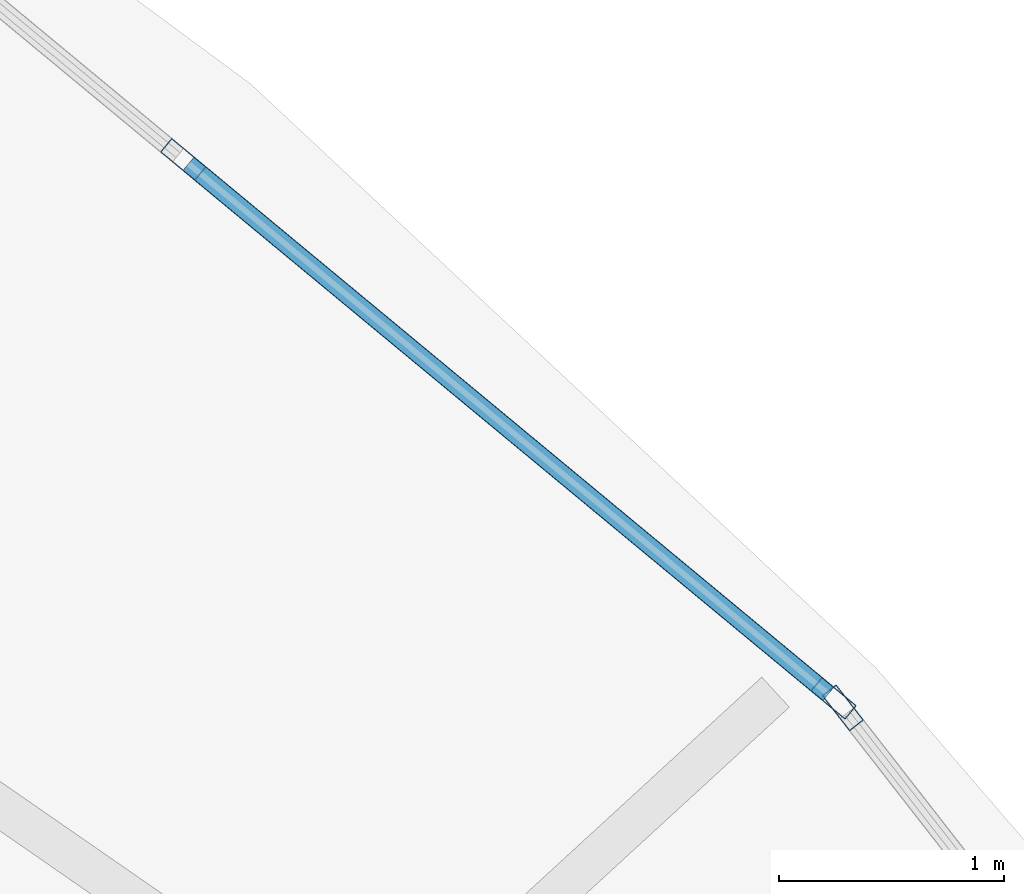
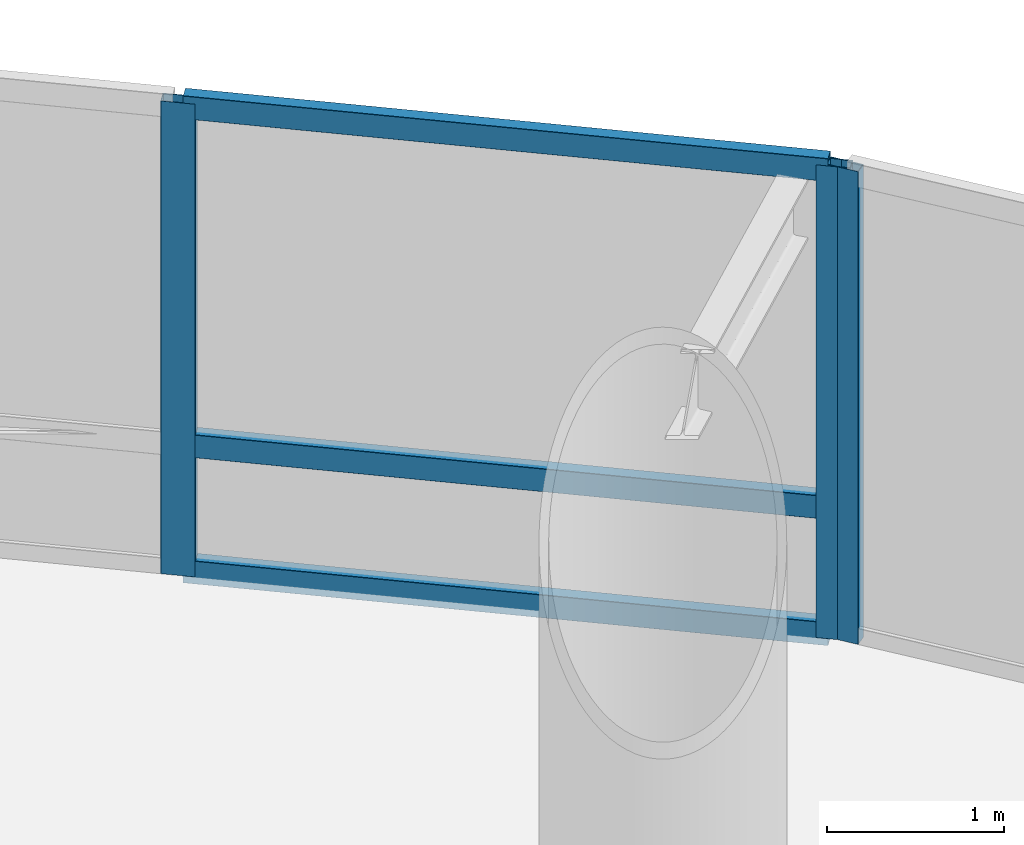
# One storey, part 11 of 20: 6 members, 2 elements without a shape of their own.
"""IFC4 building model written with IfcOpenShell, lengths in metres."""

from ifc_helpers import new_model, si_unit, direction, frame, origin, origin_2d, place, context, subcontext, project, spatial, hollow_rectangle, extrude, material, layer, layer_set, material_profile, profile_set, type_object, element, aggregate, save


model = new_model("IFC4")

# Units and contexts
model_context = context("Model", 3, precision=1e-05, world=origin(), true_north=direction((0.0, 1.0)))
body_context = subcontext(model_context, "Body", "Model", "MODEL_VIEW")
ifc_project = project(units=[si_unit("LENGTHUNIT", "METRE"), si_unit("AREAUNIT", "SQUARE_METRE"), si_unit("VOLUMEUNIT", "CUBIC_METRE"), si_unit("PLANEANGLEUNIT", "RADIAN"), si_unit("MASSUNIT", "GRAM", prefix="KILO")], contexts=[model_context])

# Site, building, storey
site_placement = place(None, origin())
site = spatial("IfcSite", under=ifc_project, at=site_placement, CompositionType="ELEMENT")
building_placement = place(site_placement, origin())
building = spatial("IfcBuilding", under=site, at=building_placement, Name="Bramvorn Convention Spire", CompositionType="ELEMENT")
storey_placement = place(building_placement, frame((0.0, 0.0, 106.300048828125)))
storey = spatial("IfcBuildingStorey", under=building, at=storey_placement, Name="L25", CompositionType="ELEMENT", Elevation=106.300048828125)

# Curtain wall, member
ifc_material_1 = material(Name="Anodised Bronze Unitised Curtain Wall", Category="aluminium")
ifc_layer = layer(ifc_material_1, 0.179931640625)
ifc_layer_set = layer_set([ifc_layer], Name="Anodised Bronze Unitised Curtain Wall - CW-HTL-FRIT")
curtain_wall_type = type_object("IfcCurtainWallType", Name="CW-HTL-FRIT", PredefinedType="USERDEFINED", material=ifc_layer_set)
curtain_wall_1_placement = place(storey_placement, origin())
curtain_wall_1 = element("IfcCurtainWall", 1, at=curtain_wall_1_placement, inside=storey, type_object=curtain_wall_type, Name="L25 fritted glass curtain wall 04", ObjectType="UNITISED CURTAIN WALL", PredefinedType="USERDEFINED")
ifc_material_2 = material(Name="Anodised Bronze Aluminium 6063-T6", Category="aluminium")
ifc_material_profile_1 = material_profile(ifc_material_2, hollow_rectangle(XDim=0.080078125, YDim=0.199951171875, WallThickness=0.00390625, InnerFilletRadius=0.0009765625, OuterFilletRadius=0.00390625, at=origin_2d()))
ifc_profile_set_1 = profile_set([ifc_material_profile_1], Name="Anodised Bronze Aluminium 6063-T6 - CWM80X200")
member_type_1 = type_object("IfcMemberType", Name="CW-MUL-180", PredefinedType="MULLION", material=ifc_profile_set_1)
member_1_placement = place(storey_placement, frame((56.63232421875, 39.879150390625, 0.0), z_axis=(0.0, 0.0, 1.0), x_axis=(0.788820236998, 0.614623977488, 0.0)))
member_1 = element("IfcMember", 2, at=member_1_placement, type_object=member_type_1, Name="CW2 mullion 1", PredefinedType="MULLION", context=body_context, shape_type="SweptSolid", body=[
    extrude(hollow_rectangle(XDim=0.080078125, YDim=0.199951171875, WallThickness=0.00390625, InnerFilletRadius=0.0009765625, OuterFilletRadius=0.00390625, at=origin_2d()), origin(), (0.0, 0.0, 1.0), 3.260009765625),
])
aggregate(curtain_wall_1, [member_1])

# Curtain wall, members
curtain_wall_2_placement = place(storey_placement, origin())
curtain_wall_2 = element("IfcCurtainWall", 3, at=curtain_wall_2_placement, inside=storey, type_object=curtain_wall_type, Name="L25 fritted glass curtain wall 05", ObjectType="UNITISED CURTAIN WALL", PredefinedType="USERDEFINED")
member_2_placement = place(storey_placement, frame((53.69970703125, 42.31787109375, 0.0), z_axis=(0.0, 0.0, 1.0), x_axis=(0.638095076967, 0.769957578539, 0.0)))
member_2 = element("IfcMember", 4, at=member_2_placement, type_object=member_type_1, Name="CW2 mullion 2", PredefinedType="MULLION", context=body_context, shape_type="SweptSolid", body=[
    extrude(hollow_rectangle(XDim=0.080078125, YDim=0.199951171875, WallThickness=0.00390625, InnerFilletRadius=0.0009765625, OuterFilletRadius=0.00390625, at=origin_2d()), origin(), (0.0, 0.0, 1.0), 3.260009765625),
])
member_3_placement = place(storey_placement, frame((56.5908203125, 39.921875, 0.0), z_axis=(0.0, 0.0, 1.0), x_axis=(0.638095076967, 0.769957578539, 0.0)))
member_3 = element("IfcMember", 5, at=member_3_placement, type_object=member_type_1, Name="CW2 mullion 3", PredefinedType="MULLION", context=body_context, shape_type="SweptSolid", body=[
    extrude(hollow_rectangle(XDim=0.080078125, YDim=0.199951171875, WallThickness=0.00390625, InnerFilletRadius=0.0009765625, OuterFilletRadius=0.00390625, at=origin_2d()), origin(), (0.0, 0.0, 1.0), 3.260009765625),
])
ifc_material_profile_2 = material_profile(ifc_material_2, hollow_rectangle(XDim=0.080078125, YDim=0.159912109375, WallThickness=0.00390625, InnerFilletRadius=0.0009765625, OuterFilletRadius=0.00390625, at=origin_2d()))
ifc_profile_set_2 = profile_set([ifc_material_profile_2], Name="Anodised Bronze Aluminium 6063-T6 - CWT80X160")
member_type_2 = type_object("IfcMemberType", Name="CW-TRN-150", PredefinedType="USERDEFINED", material=ifc_profile_set_2)
member_4_placement = place(storey_placement, frame((53.722900390625, 42.298583984375, 0.030029296875), z_axis=(0.769973325488, -0.63807607543, 0.0), x_axis=(0.63807607543, 0.769973325488, 0.0)))
member_4 = element("IfcMember", 6, at=member_4_placement, type_object=member_type_2, Name="CW2 transom 2.1", ObjectType="TRANSOM", PredefinedType="USERDEFINED", context=body_context, shape_type="SweptSolid", body=[
    extrude(hollow_rectangle(XDim=0.080078125, YDim=0.159912109375, WallThickness=0.00390625, InnerFilletRadius=0.0009765625, OuterFilletRadius=0.00390625, at=origin_2d()), origin(), (0.0, 0.0, 1.0), 3.694580078125),
])
member_5_placement = place(storey_placement, frame((53.722900390625, 42.298583984375, 0.89990234375), z_axis=(0.769973325488, -0.63807607543, 0.0), x_axis=(0.63807607543, 0.769973325488, 0.0)))
member_5 = element("IfcMember", 7, at=member_5_placement, type_object=member_type_2, Name="CW2 transom 2.2", ObjectType="TRANSOM", PredefinedType="USERDEFINED", context=body_context, shape_type="SweptSolid", body=[
    extrude(hollow_rectangle(XDim=0.080078125, YDim=0.159912109375, WallThickness=0.00390625, InnerFilletRadius=0.0009765625, OuterFilletRadius=0.00390625, at=origin_2d()), origin(), (0.0, 0.0, 1.0), 3.694580078125),
])
member_6_placement = place(storey_placement, frame((53.722900390625, 42.298583984375, 3.22998046875), z_axis=(0.769973325488, -0.63807607543, 0.0), x_axis=(0.63807607543, 0.769973325488, 0.0)))
member_6 = element("IfcMember", 8, at=member_6_placement, type_object=member_type_2, Name="CW2 transom 2.3", ObjectType="TRANSOM", PredefinedType="USERDEFINED", context=body_context, shape_type="SweptSolid", body=[
    extrude(hollow_rectangle(XDim=0.080078125, YDim=0.159912109375, WallThickness=0.00390625, InnerFilletRadius=0.0009765625, OuterFilletRadius=0.00390625, at=origin_2d()), origin(), (0.0, 0.0, 1.0), 3.694580078125),
])
aggregate(curtain_wall_2, [member_2, member_3, member_4, member_5, member_6])

save(model, "model.ifc")
